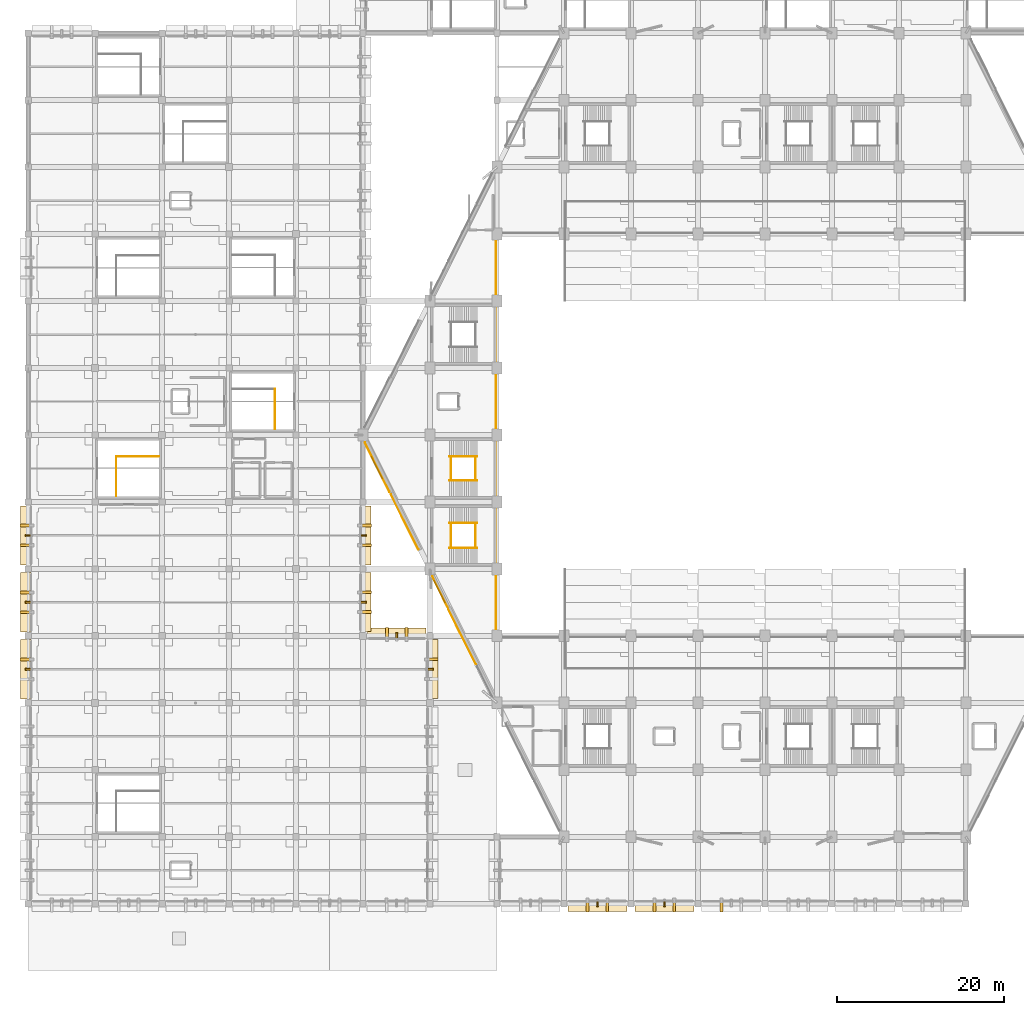
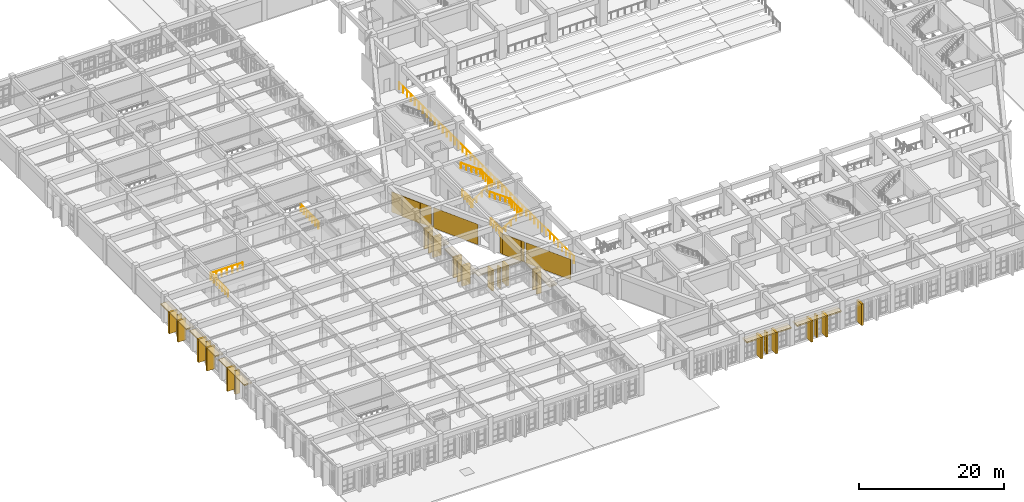
# One storey, part 148 of 155: 30 coverings, 12 railings, 11 shading devices.
"""IFC4 building model written with IfcOpenShell, lengths in metres."""

from ifc_helpers import new_model, si_unit, direction, frame, origin, origin_2d, place, context, subcontext, project, spatial, polyline, rectangle, circle, outline, extrude, material, layer, layer_set, type_object, element, save


model = new_model("IFC4")

# Units and contexts
model_context = context("Model", 3, precision=1e-05, world=origin(), true_north=direction((0.0, 1.0)))
body_context = subcontext(model_context, "Body", "Model", "MODEL_VIEW")
ifc_project = project(units=[si_unit("LENGTHUNIT", "METRE"), si_unit("AREAUNIT", "SQUARE_METRE"), si_unit("VOLUMEUNIT", "CUBIC_METRE"), si_unit("PLANEANGLEUNIT", "RADIAN"), si_unit("MASSUNIT", "GRAM", prefix="KILO")], contexts=[model_context])

# Site, building, storey
site_placement = place(None, origin())
site = spatial("IfcSite", under=ifc_project, at=site_placement, CompositionType="ELEMENT")
building_placement = place(site_placement, origin())
building = spatial("IfcBuilding", under=site, at=building_placement, Name="Tazarka Park Arena", CompositionType="ELEMENT")
storey_placement = place(building_placement, frame((0.0, 0.0, 5.39990234375)))
storey = spatial("IfcBuildingStorey", under=building, at=storey_placement, Name="L01", CompositionType="ELEMENT", Elevation=5.39990234375)

# Coverings
ifc_material_1 = material(Name="Dark ribbed perforated bronze-charcoal aluminium mesh", Category="aluminium")
ifc_layer_1 = layer(ifc_material_1, 0.06005859375, Name="Dark ribbed perforated bronze-charcoal aluminium mesh")
ifc_layer_set_1 = layer_set([ifc_layer_1], Name="Dark ribbed perforated bronze-charcoal aluminium mesh")
covering_type_1 = type_object("IfcCoveringType", Name="CLD-01", PredefinedType="CLADDING", material=ifc_layer_set_1)
for number, where, z_axis, x_axis, name in (
    (1, (69.181640625, 7.669921875, 0.0), (0.0, 0.0, 1.0), (-1.0, 0.0, 0.0), "Brutalist Precast Brise-Soleil Blade L01-007-1"),
    (2, (66.818359375, 7.669921875, 0.0), (0.0, 0.0, 1.0), (-1.0, 0.0, 0.0), "Brutalist Precast Brise-Soleil Blade L01-007-2"),
    (3, (77.181640625, 7.669921875, 0.0), (0.0, 0.0, 1.0), (-1.0, 0.0, 0.0), "Brutalist Precast Brise-Soleil Blade L01-010-1"),
    (4, (74.818359375, 7.669921875, 0.0), (0.0, 0.0, 1.0), (-1.0, 0.0, 0.0), "Brutalist Precast Brise-Soleil Blade L01-010-2"),
    (5, (82.818359375, 7.669921875, 0.0), (0.0, 0.0, 1.0), (-1.0, 0.0, 0.0), "Brutalist Precast Brise-Soleil Blade L01-013-2"),
):
    element("IfcCovering", number, at=place(storey_placement, frame(where, z_axis=z_axis, x_axis=x_axis)), inside=storey, type_object=covering_type_1, Name=name, PredefinedType="CLADDING", context=body_context, shape_type="SweptSolid", body=[
        extrude(rectangle(XDim=0.320068359375, YDim=1.300048828125, at=origin_2d()), origin(), (0.0, 0.0, 1.0), 3.60009765625),
    ])
covering_1_placement = place(storey_placement, frame((51.82568359375, 39.912841796875, 0.0), z_axis=(0.0, 0.0, 1.0), x_axis=(-0.447290848419, 0.89438856037, 0.0)))
element("IfcCovering", 6, at=covering_1_placement, inside=storey, type_object=covering_type_1, Name="Ribbed Metal Mesh Cladding EW-L01-0185", PredefinedType="CLADDING", context=body_context, shape_type="SweptSolid", body=[
    extrude(rectangle(XDim=7.36669921875, YDim=0.06005859375, at=origin_2d()), origin(), (0.0, 0.0, 1.0), 3.449951171875),
])
covering_2_placement = place(storey_placement, frame((49.17431640625, 45.304931640625, 0.0), z_axis=(0.0, 0.0, 1.0), x_axis=(-0.447290848419, 0.89438856037, 0.0)))
element("IfcCovering", 7, at=covering_2_placement, inside=storey, type_object=covering_type_1, Name="Ribbed Metal Mesh Cladding EW-L01-0186", PredefinedType="CLADDING", context=body_context, shape_type="SweptSolid", body=[
    extrude(rectangle(XDim=4.05078125, YDim=0.06005859375, at=origin_2d()), origin(), (0.0, 0.0, 1.0), 3.449951171875),
])
covering_3_placement = place(storey_placement, frame((44.95947265625, 53.62255859375, 0.0), z_axis=(0.0, 0.0, 1.0), x_axis=(-0.447290848419, 0.89438856037, 0.0)))
element("IfcCovering", 8, at=covering_3_placement, inside=storey, type_object=covering_type_1, Name="Ribbed Metal Mesh Cladding EW-L01-0187", PredefinedType="CLADDING", context=body_context, shape_type="SweptSolid", body=[
    extrude(rectangle(XDim=7.366455078125, YDim=0.06005859375, at=origin_2d()), origin(), (0.0, 0.0, 1.0), 3.449951171875),
])
covering_4_placement = place(storey_placement, frame((41.69189453125, 60.13525390625, 0.0), z_axis=(0.0, 0.0, 1.0), x_axis=(-0.447290848419, 0.89438856037, 0.0)))
element("IfcCovering", 9, at=covering_4_placement, inside=storey, type_object=covering_type_1, Name="Ribbed Metal Mesh Cladding EW-L01-0188", PredefinedType="CLADDING", context=body_context, shape_type="SweptSolid", body=[
    extrude(rectangle(XDim=6.606201171875, YDim=0.06005859375, at=origin_2d()), origin(), (0.0, 0.0, 1.0), 3.449951171875),
])
for number, where, z_axis, x_axis, name in (
    (10, (48.330078125, 37.1982421875, 0.0), (0.0, 0.0, 1.0), (0.0, -1.0, 0.0), "Brutalist Precast Brise-Soleil Blade L01-097-1"),
    (11, (42.851806640625, 40.330078125, 0.0), (0.0, 0.0, 1.0), (1.0, 0.0, 0.0), "Brutalist Precast Brise-Soleil Blade L01-100-1"),
    (12, (45.1982421875, 40.330078125, 0.0), (0.0, 0.0, 1.0), (1.0, 0.0, 0.0), "Brutalist Precast Brise-Soleil Blade L01-100-2"),
    (13, (40.330078125, 45.1982421875, 0.0), (0.0, 0.0, 1.0), (0.0, -1.0, 0.0), "Brutalist Precast Brise-Soleil Blade L01-103-1"),
    (14, (40.330078125, 42.851806640625, 0.0), (0.0, 0.0, 1.0), (0.0, -1.0, 0.0), "Brutalist Precast Brise-Soleil Blade L01-103-2"),
    (15, (40.330078125, 53.181640625, 0.0), (0.0, 0.0, 1.0), (0.0, -1.0, 0.0), "Brutalist Precast Brise-Soleil Blade L01-106-1"),
    (16, (40.330078125, 50.818359375, 0.0), (0.0, 0.0, 1.0), (0.0, -1.0, 0.0), "Brutalist Precast Brise-Soleil Blade L01-106-2"),
):
    element("IfcCovering", number, at=place(storey_placement, frame(where, z_axis=z_axis, x_axis=x_axis)), inside=storey, type_object=covering_type_1, Name=name, PredefinedType="CLADDING", context=body_context, shape_type="SweptSolid", body=[
        extrude(rectangle(XDim=0.320068359375, YDim=1.300048828125, at=origin_2d()), origin(), (0.0, 0.0, 1.0), 3.449951171875),
    ])
for number, where, z_axis, x_axis, name in (
    (17, (-0.330078125, 50.818359375, 0.0), (0.0, 0.0, 1.0), (0.0, 1.0, 0.0), "Brutalist Precast Brise-Soleil Blade L01-139-1"),
    (18, (-0.330078125, 53.181640625, 0.0), (0.0, 0.0, 1.0), (0.0, 1.0, 0.0), "Brutalist Precast Brise-Soleil Blade L01-139-2"),
):
    element("IfcCovering", number, at=place(storey_placement, frame(where, z_axis=z_axis, x_axis=x_axis)), inside=storey, type_object=covering_type_1, Name=name, PredefinedType="CLADDING", context=body_context, shape_type="SweptSolid", body=[
        extrude(rectangle(XDim=0.320068359375, YDim=1.300048828125, at=origin_2d()), origin(), (0.0, 0.0, 1.0), 3.60009765625),
    ])
for number, where, z_axis, x_axis, name in (
    (19, (-0.330078125, 42.818359375, 0.0), (0.0, 0.0, 1.0), (0.0, 1.0, 0.0), "Brutalist Precast Brise-Soleil Blade L01-142-1"),
    (20, (-0.330078125, 45.181640625, 0.0), (0.0, 0.0, 1.0), (0.0, 1.0, 0.0), "Brutalist Precast Brise-Soleil Blade L01-142-2"),
    (21, (-0.330078125, 37.181640625, 0.0), (0.0, 0.0, 1.0), (0.0, 1.0, 0.0), "Brutalist Precast Brise-Soleil Blade L01-145-2"),
):
    element("IfcCovering", number, at=place(storey_placement, frame(where, z_axis=z_axis, x_axis=x_axis)), inside=storey, type_object=covering_type_1, Name=name, PredefinedType="CLADDING", context=body_context, shape_type="SweptSolid", body=[
        extrude(rectangle(XDim=0.320068359375, YDim=1.300048828125, at=origin_2d()), origin(), (0.0, 0.0, 1.0), 3.909912109375),
    ])

# Railings
ifc_material_2 = material(Name="Brushed architectural stainless steel", Category="steel")
railing_type_1 = type_object("IfcRailingType", Name="HR-01", PredefinedType="HANDRAIL", material=ifc_material_2)
railing_1_placement = place(storey_placement, frame((50.31494140625, 58.550048828125, 0.0)))
element("IfcRailing", 22, at=railing_1_placement, inside=storey, type_object=railing_type_1, Name="Stair Handrail ST13-L01-F1", PredefinedType="HANDRAIL", context=body_context, shape_type="SweptSolid", body=[
    extrude(circle(Radius=0.02392578125, at=origin_2d()), frame((0.0, 0.0, 0.89599609375), z_axis=(0.809980229442, 0.0, 0.586457183359), x_axis=(0.0, 1.0, 0.0)), (0.0, 0.0, 1.0), 4.092529296875),
    extrude(circle(Radius=0.02099609375, at=origin_2d()), origin(), (0.0, 0.0, 1.0), 0.871826171875),
    extrude(circle(Radius=0.02099609375, at=origin_2d()), frame((0.82861328125, 0.0, 0.60009765625)), (0.0, 0.0, 1.0), 0.871826171875),
    extrude(circle(Radius=0.02099609375, at=origin_2d()), frame((1.657470703125, 0.0, 1.2001953125)), (0.0, 0.0, 1.0), 0.871826171875),
    extrude(circle(Radius=0.02099609375, at=origin_2d()), frame((2.486328125, 0.0, 1.800048828125)), (0.0, 0.0, 1.0), 0.871826171875),
    extrude(circle(Radius=0.02099609375, at=origin_2d()), frame((3.31494140625, 0.0, 2.400146484375)), (0.0, 0.0, 1.0), 0.871826171875),
])
railing_2_placement = place(storey_placement, frame((53.6298828125, 61.449951171875, 2.400146484375)))
element("IfcRailing", 23, at=railing_2_placement, inside=storey, type_object=railing_type_1, Name="Stair Handrail ST13-L01-F2", PredefinedType="HANDRAIL", context=body_context, shape_type="SweptSolid", body=[
    extrude(circle(Radius=0.02392578125, at=origin_2d()), frame((0.0, 0.0, 0.89599609375), z_axis=(-0.810008566192, 0.0, 0.586418044312), x_axis=(0.0, -1.0, 0.0)), (0.0, 0.0, 1.0), 4.092529296875),
    extrude(circle(Radius=0.02099609375, at=origin_2d()), origin(), (0.0, 0.0, 1.0), 0.871826171875),
    extrude(circle(Radius=0.02099609375, at=origin_2d()), frame((-0.82861328125, 0.0, 0.60009765625)), (0.0, 0.0, 1.0), 0.871826171875),
    extrude(circle(Radius=0.02099609375, at=origin_2d()), frame((-1.657470703125, 0.0, 1.199951171875)), (0.0, 0.0, 1.0), 0.871826171875),
    extrude(circle(Radius=0.02099609375, at=origin_2d()), frame((-2.486328125, 0.0, 1.7998046875)), (0.0, 0.0, 1.0), 0.871826171875),
    extrude(circle(Radius=0.02099609375, at=origin_2d()), frame((-3.31494140625, 0.0, 2.39990234375)), (0.0, 0.0, 1.0), 0.871826171875),
])
railing_3_placement = place(storey_placement, frame((50.31494140625, 50.510009765625, 0.0)))
element("IfcRailing", 24, at=railing_3_placement, inside=storey, type_object=railing_type_1, Name="Stair Handrail ST19-L01-F1", PredefinedType="HANDRAIL", context=body_context, shape_type="SweptSolid", body=[
    extrude(circle(Radius=0.02392578125, at=origin_2d()), frame((0.0, 0.0, 0.89599609375), z_axis=(0.809980229442, 0.0, 0.586457183359), x_axis=(0.0, 1.0, 0.0)), (0.0, 0.0, 1.0), 4.092529296875),
    extrude(circle(Radius=0.02099609375, at=origin_2d()), origin(), (0.0, 0.0, 1.0), 0.871826171875),
    extrude(circle(Radius=0.02099609375, at=origin_2d()), frame((0.82861328125, 0.0, 0.60009765625)), (0.0, 0.0, 1.0), 0.871826171875),
    extrude(circle(Radius=0.02099609375, at=origin_2d()), frame((1.657470703125, 0.0, 1.2001953125)), (0.0, 0.0, 1.0), 0.871826171875),
    extrude(circle(Radius=0.02099609375, at=origin_2d()), frame((2.486328125, 0.0, 1.800048828125)), (0.0, 0.0, 1.0), 0.871826171875),
    extrude(circle(Radius=0.02099609375, at=origin_2d()), frame((3.31494140625, 0.0, 2.400146484375)), (0.0, 0.0, 1.0), 0.871826171875),
])
railing_4_placement = place(storey_placement, frame((53.6298828125, 53.489990234375, 2.400146484375)))
element("IfcRailing", 25, at=railing_4_placement, inside=storey, type_object=railing_type_1, Name="Stair Handrail ST19-L01-F2", PredefinedType="HANDRAIL", context=body_context, shape_type="SweptSolid", body=[
    extrude(circle(Radius=0.02392578125, at=origin_2d()), frame((0.0, 0.0, 0.89599609375), z_axis=(-0.810008566192, 0.0, 0.586418044312), x_axis=(0.0, -1.0, 0.0)), (0.0, 0.0, 1.0), 4.092529296875),
    extrude(circle(Radius=0.02099609375, at=origin_2d()), origin(), (0.0, 0.0, 1.0), 0.871826171875),
    extrude(circle(Radius=0.02099609375, at=origin_2d()), frame((-0.82861328125, 0.0, 0.60009765625)), (0.0, 0.0, 1.0), 0.871826171875),
    extrude(circle(Radius=0.02099609375, at=origin_2d()), frame((-1.657470703125, 0.0, 1.199951171875)), (0.0, 0.0, 1.0), 0.871826171875),
    extrude(circle(Radius=0.02099609375, at=origin_2d()), frame((-2.486328125, 0.0, 1.7998046875)), (0.0, 0.0, 1.0), 0.871826171875),
    extrude(circle(Radius=0.02099609375, at=origin_2d()), frame((-3.31494140625, 0.0, 2.39990234375)), (0.0, 0.0, 1.0), 0.871826171875),
])
ifc_material_3 = material(Name="Galvanised powder-coated architectural steel", Category="steel")
railing_type_2 = type_object("IfcRailingType", Name="IGR-01", PredefinedType="GUARDRAIL", material=ifc_material_3)
railing_5_placement = place(storey_placement, frame((10.514892578125, 56.679931640625, 0.0)))
element("IfcRailing", 26, at=railing_5_placement, inside=storey, type_object=railing_type_2, Name="Stair Well Guardrail ST01-L01", PredefinedType="GUARDRAIL", context=body_context, shape_type="SweptSolid", body=[
    extrude(circle(Radius=0.02392578125, at=origin_2d()), frame((0.0, 0.0, 1.1259765625), z_axis=(0.0, 1.0, 0.0), x_axis=(-1.0, 0.0, 0.0)), (0.0, 0.0, 1.0), 4.77001953125),
    extrude(circle(Radius=0.02099609375, at=origin_2d()), origin(), (0.0, 0.0, 1.0), 1.101806640625),
    extrude(circle(Radius=0.02099609375, at=origin_2d()), frame((0.0, 0.794921875, 0.0)), (0.0, 0.0, 1.0), 1.101806640625),
    extrude(circle(Radius=0.02099609375, at=origin_2d()), frame((0.0, 1.590087890625, 0.0)), (0.0, 0.0, 1.0), 1.101806640625),
    extrude(circle(Radius=0.02099609375, at=origin_2d()), frame((0.0, 2.385009765625, 0.0)), (0.0, 0.0, 1.0), 1.101806640625),
    extrude(circle(Radius=0.02099609375, at=origin_2d()), frame((0.0, 3.179931640625, 0.0)), (0.0, 0.0, 1.0), 1.101806640625),
    extrude(circle(Radius=0.02099609375, at=origin_2d()), frame((0.0, 3.97509765625, 0.0)), (0.0, 0.0, 1.0), 1.101806640625),
    extrude(circle(Radius=0.02099609375, at=origin_2d()), frame((0.0, 4.77001953125, 0.0)), (0.0, 0.0, 1.0), 1.101806640625),
])
railing_6_placement = place(storey_placement, frame((10.514892578125, 61.449951171875, 0.0)))
element("IfcRailing", 27, at=railing_6_placement, inside=storey, type_object=railing_type_2, Name="Top Well Guardrail ST01-L01", PredefinedType="GUARDRAIL", context=body_context, shape_type="SweptSolid", body=[
    extrude(circle(Radius=0.02392578125, at=origin_2d()), frame((0.0, 0.0, 1.1259765625), z_axis=(1.0, 0.0, 0.0), x_axis=(0.0, 1.0, 0.0)), (0.0, 0.0, 1.0), 5.105224609375),
    extrude(circle(Radius=0.02099609375, at=origin_2d()), origin(), (0.0, 0.0, 1.0), 1.101806640625),
    extrude(circle(Radius=0.02099609375, at=origin_2d()), frame((0.850830078125, 0.0, 0.0)), (0.0, 0.0, 1.0), 1.101806640625),
    extrude(circle(Radius=0.02099609375, at=origin_2d()), frame((1.70166015625, 0.0, 0.0)), (0.0, 0.0, 1.0), 1.101806640625),
    extrude(circle(Radius=0.02099609375, at=origin_2d()), frame((2.552734375, 0.0, 0.0)), (0.0, 0.0, 1.0), 1.101806640625),
    extrude(circle(Radius=0.02099609375, at=origin_2d()), frame((3.403564453125, 0.0, 0.0)), (0.0, 0.0, 1.0), 1.101806640625),
    extrude(circle(Radius=0.02099609375, at=origin_2d()), frame((4.25439453125, 0.0, 0.0)), (0.0, 0.0, 1.0), 1.101806640625),
    extrude(circle(Radius=0.02099609375, at=origin_2d()), frame((5.105224609375, 0.0, 0.0)), (0.0, 0.0, 1.0), 1.101806640625),
])
for number, where, name in (
    (28, (50.514892578125, 58.550048828125, 0.0), "Stair Well Guardrail ST13-L01"),
    (29, (53.429931640625, 58.550048828125, 2.400146484375), "Landing Guardrail ST13-L01-M"),
):
    element("IfcRailing", number, at=place(storey_placement, frame(where)), inside=storey, type_object=railing_type_2, Name=name, PredefinedType="GUARDRAIL", context=body_context, shape_type="SweptSolid", body=[
        extrude(circle(Radius=0.02392578125, at=origin_2d()), frame((0.0, 0.0, 1.1259765625), z_axis=(0.0, 1.0, 0.0), x_axis=(-1.0, 0.0, 0.0)), (0.0, 0.0, 1.0), 2.89990234375),
        extrude(circle(Radius=0.02099609375, at=origin_2d()), origin(), (0.0, 0.0, 1.0), 1.101806640625),
        extrude(circle(Radius=0.02099609375, at=origin_2d()), frame((0.0, 0.72509765625, 0.0)), (0.0, 0.0, 1.0), 1.101806640625),
        extrude(circle(Radius=0.02099609375, at=origin_2d()), frame((0.0, 1.449951171875, 0.0)), (0.0, 0.0, 1.0), 1.101806640625),
        extrude(circle(Radius=0.02099609375, at=origin_2d()), frame((0.0, 2.1748046875, 0.0)), (0.0, 0.0, 1.0), 1.101806640625),
        extrude(circle(Radius=0.02099609375, at=origin_2d()), frame((0.0, 2.89990234375, 0.0)), (0.0, 0.0, 1.0), 1.101806640625),
    ])
for number, where, name in (
    (30, (50.514892578125, 50.510009765625, 0.0), "Stair Well Guardrail ST19-L01"),
    (31, (53.429931640625, 50.510009765625, 2.400146484375), "Landing Guardrail ST19-L01-M"),
):
    element("IfcRailing", number, at=place(storey_placement, frame(where)), inside=storey, type_object=railing_type_2, Name=name, PredefinedType="GUARDRAIL", context=body_context, shape_type="SweptSolid", body=[
        extrude(circle(Radius=0.02392578125, at=origin_2d()), frame((0.0, 0.0, 1.1259765625), z_axis=(0.0, 1.0, 0.0), x_axis=(-1.0, 0.0, 0.0)), (0.0, 0.0, 1.0), 2.97998046875),
        extrude(circle(Radius=0.02099609375, at=origin_2d()), origin(), (0.0, 0.0, 1.0), 1.101806640625),
        extrude(circle(Radius=0.02099609375, at=origin_2d()), frame((0.0, 0.7451171875, 0.0)), (0.0, 0.0, 1.0), 1.101806640625),
        extrude(circle(Radius=0.02099609375, at=origin_2d()), frame((0.0, 1.489990234375, 0.0)), (0.0, 0.0, 1.0), 1.101806640625),
        extrude(circle(Radius=0.02099609375, at=origin_2d()), frame((0.0, 2.23486328125, 0.0)), (0.0, 0.0, 1.0), 1.101806640625),
        extrude(circle(Radius=0.02099609375, at=origin_2d()), frame((0.0, 2.97998046875, 0.0)), (0.0, 0.0, 1.0), 1.101806640625),
    ])
railing_7_placement = place(storey_placement, frame((29.485107421875, 64.679931640625, 0.0)))
element("IfcRailing", 32, at=railing_7_placement, inside=storey, type_object=railing_type_2, Name="Stair Well Guardrail ST24-L01", PredefinedType="GUARDRAIL", context=body_context, shape_type="SweptSolid", body=[
    extrude(circle(Radius=0.02392578125, at=origin_2d()), frame((0.0, 0.0, 1.1259765625), z_axis=(0.0, 1.0, 0.0), x_axis=(-1.0, 0.0, 0.0)), (0.0, 0.0, 1.0), 4.81005859375),
    extrude(circle(Radius=0.02099609375, at=origin_2d()), origin(), (0.0, 0.0, 1.0), 1.101806640625),
    extrude(circle(Radius=0.02099609375, at=origin_2d()), frame((0.0, 0.8017578125, 0.0)), (0.0, 0.0, 1.0), 1.101806640625),
    extrude(circle(Radius=0.02099609375, at=origin_2d()), frame((0.0, 1.603271484375, 0.0)), (0.0, 0.0, 1.0), 1.101806640625),
    extrude(circle(Radius=0.02099609375, at=origin_2d()), frame((0.0, 2.405029296875, 0.0)), (0.0, 0.0, 1.0), 1.101806640625),
    extrude(circle(Radius=0.02099609375, at=origin_2d()), frame((0.0, 3.206787109375, 0.0)), (0.0, 0.0, 1.0), 1.101806640625),
    extrude(circle(Radius=0.02099609375, at=origin_2d()), frame((0.0, 4.00830078125, 0.0)), (0.0, 0.0, 1.0), 1.101806640625),
    extrude(circle(Radius=0.02099609375, at=origin_2d()), frame((0.0, 4.81005859375, 0.0)), (0.0, 0.0, 1.0), 1.101806640625),
])
railing_8_placement = place(storey_placement, frame((55.8798828125, 39.8798828125, 0.0)))
element("IfcRailing", 33, at=railing_8_placement, inside=storey, type_object=railing_type_2, Name="Interior Barrier Guardrail IGR-01-001", PredefinedType="GUARDRAIL", context=body_context, shape_type="SweptSolid", body=[
    extrude(circle(Radius=0.02392578125, at=origin_2d()), frame((0.0, 0.0, 1.1259765625), z_axis=(0.0, 1.0, 0.0), x_axis=(-1.0, 0.0, 0.0)), (0.0, 0.0, 1.0), 48.240234375),
    extrude(circle(Radius=0.02099609375, at=origin_2d()), origin(), (0.0, 0.0, 1.0), 1.101806640625),
    extrude(circle(Radius=0.02099609375, at=origin_2d()), frame((0.0, 1.096435546875, 0.0)), (0.0, 0.0, 1.0), 1.101806640625),
    extrude(circle(Radius=0.02099609375, at=origin_2d()), frame((0.0, 2.192626953125, 0.0)), (0.0, 0.0, 1.0), 1.101806640625),
    extrude(circle(Radius=0.02099609375, at=origin_2d()), frame((0.0, 3.2890625, 0.0)), (0.0, 0.0, 1.0), 1.101806640625),
    extrude(circle(Radius=0.02099609375, at=origin_2d()), frame((0.0, 4.385498046875, 0.0)), (0.0, 0.0, 1.0), 1.101806640625),
    extrude(circle(Radius=0.02099609375, at=origin_2d()), frame((0.0, 5.48193359375, 0.0)), (0.0, 0.0, 1.0), 1.101806640625),
    extrude(circle(Radius=0.02099609375, at=origin_2d()), frame((0.0, 6.578125, 0.0)), (0.0, 0.0, 1.0), 1.101806640625),
    extrude(circle(Radius=0.02099609375, at=origin_2d()), frame((0.0, 7.674560546875, 0.0)), (0.0, 0.0, 1.0), 1.101806640625),
    extrude(circle(Radius=0.02099609375, at=origin_2d()), frame((0.0, 8.77099609375, 0.0)), (0.0, 0.0, 1.0), 1.101806640625),
    extrude(circle(Radius=0.02099609375, at=origin_2d()), frame((0.0, 9.867431640625, 0.0)), (0.0, 0.0, 1.0), 1.101806640625),
    extrude(circle(Radius=0.02099609375, at=origin_2d()), frame((0.0, 10.963623046875, 0.0)), (0.0, 0.0, 1.0), 1.101806640625),
    extrude(circle(Radius=0.02099609375, at=origin_2d()), frame((0.0, 12.06005859375, 0.0)), (0.0, 0.0, 1.0), 1.101806640625),
    extrude(circle(Radius=0.02099609375, at=origin_2d()), frame((0.0, 13.156494140625, 0.0)), (0.0, 0.0, 1.0), 1.101806640625),
    extrude(circle(Radius=0.02099609375, at=origin_2d()), frame((0.0, 14.252685546875, 0.0)), (0.0, 0.0, 1.0), 1.101806640625),
    extrude(circle(Radius=0.02099609375, at=origin_2d()), frame((0.0, 15.34912109375, 0.0)), (0.0, 0.0, 1.0), 1.101806640625),
    extrude(circle(Radius=0.02099609375, at=origin_2d()), frame((0.0, 16.445556640625, 0.0)), (0.0, 0.0, 1.0), 1.101806640625),
    extrude(circle(Radius=0.02099609375, at=origin_2d()), frame((0.0, 17.5419921875, 0.0)), (0.0, 0.0, 1.0), 1.101806640625),
    extrude(circle(Radius=0.02099609375, at=origin_2d()), frame((0.0, 18.63818359375, 0.0)), (0.0, 0.0, 1.0), 1.101806640625),
    extrude(circle(Radius=0.02099609375, at=origin_2d()), frame((0.0, 19.734619140625, 0.0)), (0.0, 0.0, 1.0), 1.101806640625),
    extrude(circle(Radius=0.02099609375, at=origin_2d()), frame((0.0, 20.8310546875, 0.0)), (0.0, 0.0, 1.0), 1.101806640625),
    extrude(circle(Radius=0.02099609375, at=origin_2d()), frame((0.0, 21.927490234375, 0.0)), (0.0, 0.0, 1.0), 1.101806640625),
    extrude(circle(Radius=0.02099609375, at=origin_2d()), frame((0.0, 23.023681640625, 0.0)), (0.0, 0.0, 1.0), 1.101806640625),
    extrude(circle(Radius=0.02099609375, at=origin_2d()), frame((0.0, 24.1201171875, 0.0)), (0.0, 0.0, 1.0), 1.101806640625),
    extrude(circle(Radius=0.02099609375, at=origin_2d()), frame((0.0, 25.216552734375, 0.0)), (0.0, 0.0, 1.0), 1.101806640625),
    extrude(circle(Radius=0.02099609375, at=origin_2d()), frame((0.0, 26.312744140625, 0.0)), (0.0, 0.0, 1.0), 1.101806640625),
    extrude(circle(Radius=0.02099609375, at=origin_2d()), frame((0.0, 27.4091796875, 0.0)), (0.0, 0.0, 1.0), 1.101806640625),
    extrude(circle(Radius=0.02099609375, at=origin_2d()), frame((0.0, 28.505615234375, 0.0)), (0.0, 0.0, 1.0), 1.101806640625),
    extrude(circle(Radius=0.02099609375, at=origin_2d()), frame((0.0, 29.60205078125, 0.0)), (0.0, 0.0, 1.0), 1.101806640625),
    extrude(circle(Radius=0.02099609375, at=origin_2d()), frame((0.0, 30.6982421875, 0.0)), (0.0, 0.0, 1.0), 1.101806640625),
    extrude(circle(Radius=0.02099609375, at=origin_2d()), frame((0.0, 31.794677734375, 0.0)), (0.0, 0.0, 1.0), 1.101806640625),
    extrude(circle(Radius=0.02099609375, at=origin_2d()), frame((0.0, 32.89111328125, 0.0)), (0.0, 0.0, 1.0), 1.101806640625),
    extrude(circle(Radius=0.02099609375, at=origin_2d()), frame((0.0, 33.987548828125, 0.0)), (0.0, 0.0, 1.0), 1.101806640625),
    extrude(circle(Radius=0.02099609375, at=origin_2d()), frame((0.0, 35.083740234375, 0.0)), (0.0, 0.0, 1.0), 1.101806640625),
    extrude(circle(Radius=0.02099609375, at=origin_2d()), frame((0.0, 36.18017578125, 0.0)), (0.0, 0.0, 1.0), 1.101806640625),
    extrude(circle(Radius=0.02099609375, at=origin_2d()), frame((0.0, 37.276611328125, 0.0)), (0.0, 0.0, 1.0), 1.101806640625),
    extrude(circle(Radius=0.02099609375, at=origin_2d()), frame((0.0, 38.372802734375, 0.0)), (0.0, 0.0, 1.0), 1.101806640625),
    extrude(circle(Radius=0.02099609375, at=origin_2d()), frame((0.0, 39.46923828125, 0.0)), (0.0, 0.0, 1.0), 1.101806640625),
    extrude(circle(Radius=0.02099609375, at=origin_2d()), frame((0.0, 40.565673828125, 0.0)), (0.0, 0.0, 1.0), 1.101806640625),
    extrude(circle(Radius=0.02099609375, at=origin_2d()), frame((0.0, 41.662109375, 0.0)), (0.0, 0.0, 1.0), 1.101806640625),
    extrude(circle(Radius=0.02099609375, at=origin_2d()), frame((0.0, 42.75830078125, 0.0)), (0.0, 0.0, 1.0), 1.101806640625),
    extrude(circle(Radius=0.02099609375, at=origin_2d()), frame((0.0, 43.854736328125, 0.0)), (0.0, 0.0, 1.0), 1.101806640625),
    extrude(circle(Radius=0.02099609375, at=origin_2d()), frame((0.0, 44.951171875, 0.0)), (0.0, 0.0, 1.0), 1.101806640625),
    extrude(circle(Radius=0.02099609375, at=origin_2d()), frame((0.0, 46.047607421875, 0.0)), (0.0, 0.0, 1.0), 1.101806640625),
    extrude(circle(Radius=0.02099609375, at=origin_2d()), frame((0.0, 47.143798828125, 0.0)), (0.0, 0.0, 1.0), 1.101806640625),
    extrude(circle(Radius=0.02099609375, at=origin_2d()), frame((0.0, 48.240234375, 0.0)), (0.0, 0.0, 1.0), 1.101806640625),
])

# Coverings
ifc_material_4 = material(Name="Standing-seam acoustic aluminium roofing membrane", Category="aluminium")
ifc_layer_2 = layer(ifc_material_4, 0.050048828125, Name="Standing-seam acoustic aluminium roofing membrane")
ifc_layer_set_2 = layer_set([ifc_layer_2], Name="Standing-seam acoustic aluminium roofing membrane")
covering_type_2 = type_object("IfcCoveringType", Name="RFG-01", PredefinedType="ROOFING", material=ifc_layer_set_2)
covering_5_placement = place(storey_placement, frame((0.0, 0.0, 3.360107421875)))
element("IfcCovering", 34, at=covering_5_placement, inside=storey, type_object=covering_type_2, Name="Brutalist Sun-Hood Overhang L01-007", PredefinedType="ROOFING", context=body_context, shape_type="SweptSolid", body=[
    extrude(outline(polyline([(71.544921875, 8.320068359375), (64.455078125, 8.320068359375), (64.455078125, 7.070068359375), (71.544921875, 7.070068359375), (71.544921875, 8.320068359375)])), origin(), (0.0, 0.0, 1.0), 0.219970703125),
])
covering_6_placement = place(storey_placement, frame((0.0, 0.0, 3.360107421875)))
element("IfcCovering", 35, at=covering_6_placement, inside=storey, type_object=covering_type_2, Name="Brutalist Sun-Hood Overhang L01-010", PredefinedType="ROOFING", context=body_context, shape_type="SweptSolid", body=[
    extrude(outline(polyline([(79.544921875, 8.320068359375), (72.455078125, 8.320068359375), (72.455078125, 7.070068359375), (79.544921875, 7.070068359375), (79.544921875, 8.320068359375)])), origin(), (0.0, 0.0, 1.0), 0.219970703125),
])
covering_7_placement = place(storey_placement, frame((0.0, 0.0, 3.210205078125)))
element("IfcCovering", 36, at=covering_7_placement, inside=storey, type_object=covering_type_2, Name="Brutalist Sun-Hood Overhang L01-097", PredefinedType="ROOFING", context=body_context, shape_type="SweptSolid", body=[
    extrude(outline(polyline([(47.679931640625, 39.544921875), (47.679931640625, 32.5048828125), (48.929931640625, 32.5048828125), (48.929931640625, 39.544921875), (47.679931640625, 39.544921875)])), origin(), (0.0, 0.0, 1.0), 0.219970703125),
])
covering_8_placement = place(storey_placement, frame((0.0, 0.0, 3.210205078125)))
element("IfcCovering", 37, at=covering_8_placement, inside=storey, type_object=covering_type_2, Name="Brutalist Sun-Hood Overhang L01-100", PredefinedType="ROOFING", context=body_context, shape_type="SweptSolid", body=[
    extrude(outline(polyline([(40.5048828125, 39.679931640625), (47.544921875, 39.679931640625), (47.544921875, 40.929931640625), (40.5048828125, 40.929931640625), (40.5048828125, 39.679931640625)])), origin(), (0.0, 0.0, 1.0), 0.219970703125),
])
covering_9_placement = place(storey_placement, frame((0.0, 0.0, 3.210205078125)))
element("IfcCovering", 38, at=covering_9_placement, inside=storey, type_object=covering_type_2, Name="Brutalist Sun-Hood Overhang L01-103", PredefinedType="ROOFING", context=body_context, shape_type="SweptSolid", body=[
    extrude(outline(polyline([(39.679931640625, 47.544921875), (39.679931640625, 40.5048828125), (40.929931640625, 40.5048828125), (40.929931640625, 47.544921875), (39.679931640625, 47.544921875)])), origin(), (0.0, 0.0, 1.0), 0.219970703125),
])
covering_10_placement = place(storey_placement, frame((0.0, 0.0, 3.210205078125)))
element("IfcCovering", 39, at=covering_10_placement, inside=storey, type_object=covering_type_2, Name="Brutalist Sun-Hood Overhang L01-106", PredefinedType="ROOFING", context=body_context, shape_type="SweptSolid", body=[
    extrude(outline(polyline([(39.679931640625, 55.544921875), (39.679931640625, 48.455078125), (40.929931640625, 48.455078125), (40.929931640625, 55.544921875), (39.679931640625, 55.544921875)])), origin(), (0.0, 0.0, 1.0), 0.219970703125),
])
covering_11_placement = place(storey_placement, frame((0.0, 0.0, 3.360107421875)))
element("IfcCovering", 40, at=covering_11_placement, inside=storey, type_object=covering_type_2, Name="Brutalist Sun-Hood Overhang L01-139", PredefinedType="ROOFING", context=body_context, shape_type="SweptSolid", body=[
    extrude(outline(polyline([(0.320068359375, 48.455078125), (0.320068359375, 55.544921875), (-0.929931640625, 55.544921875), (-0.929931640625, 48.455078125), (0.320068359375, 48.455078125)])), origin(), (0.0, 0.0, 1.0), 0.219970703125),
])
covering_12_placement = place(storey_placement, frame((0.0, 0.0, 3.670166015625)))
element("IfcCovering", 41, at=covering_12_placement, inside=storey, type_object=covering_type_2, Name="Brutalist Sun-Hood Overhang L01-142", PredefinedType="ROOFING", context=body_context, shape_type="SweptSolid", body=[
    extrude(outline(polyline([(0.320068359375, 40.455078125), (0.320068359375, 47.544921875), (-0.929931640625, 47.544921875), (-0.929931640625, 40.455078125), (0.320068359375, 40.455078125)])), origin(), (0.0, 0.0, 1.0), 0.219970703125),
])
covering_13_placement = place(storey_placement, frame((0.0, 0.0, 3.670166015625)))
element("IfcCovering", 42, at=covering_13_placement, inside=storey, type_object=covering_type_2, Name="Brutalist Sun-Hood Overhang L01-145", PredefinedType="ROOFING", context=body_context, shape_type="SweptSolid", body=[
    extrude(outline(polyline([(0.320068359375, 32.455078125), (0.320068359375, 39.544921875), (-0.929931640625, 39.544921875), (-0.929931640625, 32.455078125), (0.320068359375, 32.455078125)])), origin(), (0.0, 0.0, 1.0), 0.219970703125),
])

# Shading devices
ifc_material_5 = material(Name="Precast concrete C40/50", Category="concrete")
shading_device_type_1 = type_object("IfcShadingDeviceType", Name="SHD-01", PredefinedType="SHUTTER", material=ifc_material_5)
for number, where, z_axis, x_axis, name in (
    (43, (68.0, 7.97998046875, -0.0400390625), (0.0, 0.0, 1.0), (-1.0, 0.0, 0.0), "Brise-Soleil Fin BS-003"),
    (44, (76.0, 7.97998046875, -0.0400390625), (0.0, 0.0, 1.0), (-1.0, 0.0, 0.0), "Brise-Soleil Fin BS-004"),
):
    element("IfcShadingDevice", number, at=place(storey_placement, frame(where, z_axis=z_axis, x_axis=x_axis)), inside=storey, type_object=shading_device_type_1, Name=name, PredefinedType="SHUTTER", context=body_context, shape_type="SweptSolid", body=[
        extrude(rectangle(XDim=0.219970703125, YDim=0.719970703125, at=origin_2d()), origin(), (0.0, 0.0, 1.0), 3.679931640625),
    ])
for number, where, z_axis, x_axis, name in (
    (45, (48.02001953125, 36.02490234375, -0.0400390625), (0.0, 0.0, 1.0), (0.0, -1.0, 0.0), "Brise-Soleil Fin BS-033"),
    (46, (44.02490234375, 40.02001953125, -0.0400390625), (0.0, 0.0, 1.0), (1.0, 0.0, 0.0), "Brise-Soleil Fin BS-034"),
    (47, (40.02001953125, 44.02490234375, -0.0400390625), (0.0, 0.0, 1.0), (0.0, -1.0, 0.0), "Brise-Soleil Fin BS-035"),
    (48, (40.02001953125, 52.0, -0.0400390625), (0.0, 0.0, 1.0), (0.0, -1.0, 0.0), "Brise-Soleil Fin BS-036"),
):
    element("IfcShadingDevice", number, at=place(storey_placement, frame(where, z_axis=z_axis, x_axis=x_axis)), inside=storey, type_object=shading_device_type_1, Name=name, PredefinedType="SHUTTER", context=body_context, shape_type="SweptSolid", body=[
        extrude(rectangle(XDim=0.219970703125, YDim=0.719970703125, at=origin_2d()), origin(), (0.0, 0.0, 1.0), 3.530029296875),
    ])
shading_device_placement = place(storey_placement, frame((-0.02001953125, 52.0, -0.0400390625), z_axis=(0.0, 0.0, 1.0), x_axis=(0.0, 1.0, 0.0)))
element("IfcShadingDevice", 49, at=shading_device_placement, inside=storey, type_object=shading_device_type_1, Name="Brise-Soleil Fin BS-047", PredefinedType="SHUTTER", context=body_context, shape_type="SweptSolid", body=[
    extrude(rectangle(XDim=0.219970703125, YDim=0.719970703125, at=origin_2d()), origin(), (0.0, 0.0, 1.0), 3.679931640625),
])
for number, where, z_axis, x_axis, name in (
    (50, (-0.02001953125, 44.0, -0.0400390625), (0.0, 0.0, 1.0), (0.0, 1.0, 0.0), "Brise-Soleil Fin BS-048"),
    (51, (-0.02001953125, 36.0, -0.0400390625), (0.0, 0.0, 1.0), (0.0, 1.0, 0.0), "Brise-Soleil Fin BS-049"),
):
    element("IfcShadingDevice", number, at=place(storey_placement, frame(where, z_axis=z_axis, x_axis=x_axis)), inside=storey, type_object=shading_device_type_1, Name=name, PredefinedType="SHUTTER", context=body_context, shape_type="SweptSolid", body=[
        extrude(rectangle(XDim=0.219970703125, YDim=0.719970703125, at=origin_2d()), origin(), (0.0, 0.0, 1.0), 3.989990234375),
    ])
ifc_material_6 = material(Name="Dark ribbed perforated bronze-charcoal aluminium mesh", Category="aluminium")
shading_device_type_2 = type_object("IfcShadingDeviceType", Name="SHD-02", PredefinedType="JALOUSIE", material=ifc_material_6)
for number, where, z_axis, x_axis, name in (
    (52, (49.12060546875, 45.278076171875, 0.0), (0.0, 0.0, 1.0), (-0.447290848419, 0.89438856037, 0.0), "Perforated Mesh Screen EW-L01-0186"),
    (53, (41.63818359375, 60.1083984375, 0.0), (0.0, 0.0, 1.0), (-0.447290848419, 0.89438856037, 0.0), "Perforated Mesh Screen EW-L01-0188"),
):
    element("IfcShadingDevice", number, at=place(storey_placement, frame(where, z_axis=z_axis, x_axis=x_axis)), inside=storey, type_object=shading_device_type_2, Name=name, PredefinedType="JALOUSIE", context=body_context, shape_type="SweptSolid", body=[
        extrude(rectangle(XDim=3.0, YDim=0.139892578125, at=origin_2d()), origin(), (0.0, 0.0, 1.0), 3.449951171875),
    ])

save(model, "model.ifc")
